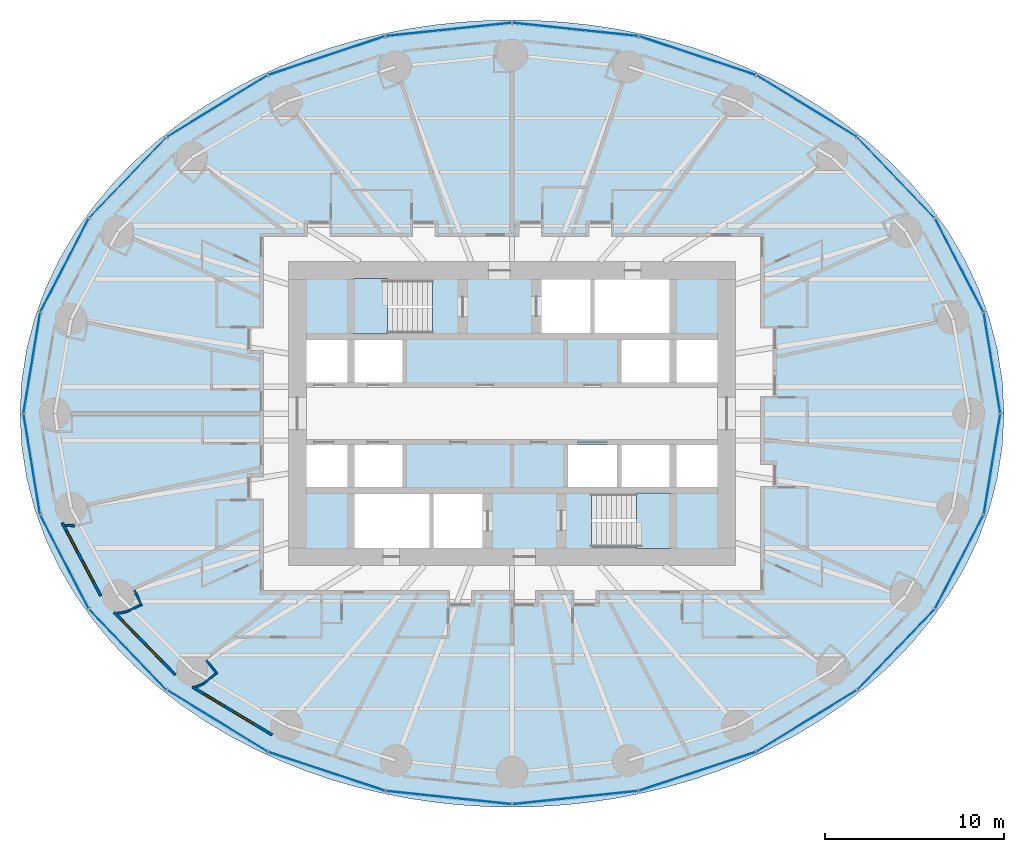
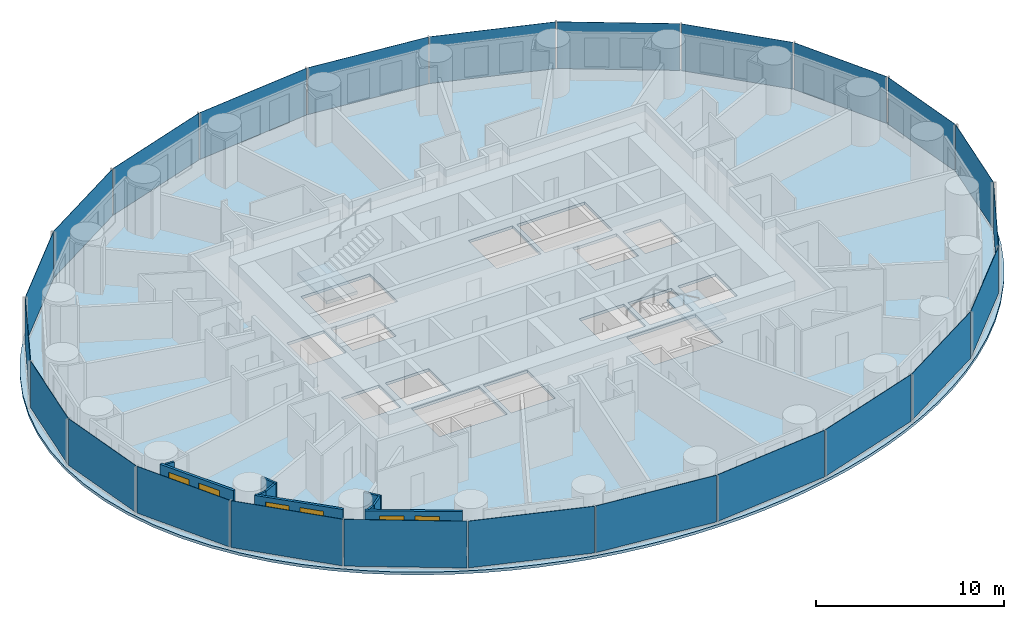
# One storey, part 5 of 14: 24 plates, 10 walls, 6 windows, 3 slabs, 6 openings, 6 elements without a shape of their own.
"""IFC4 building model written with IfcOpenShell, lengths in metres."""

from ifc_helpers import new_model, si_unit, direction, frame, frame_2d, origin, origin_2d, place, context, subcontext, project, spatial, polyline, rectangle, outline, extrude, material, layer, layer_set, type_object, element, fill, aggregate, save


model = new_model("IFC4")

# Units and contexts
model_context = context("Model", 3, precision=1e-05, world=origin(), true_north=direction((0.0, 1.0)))
body_context = subcontext(model_context, "Body", "Model", "MODEL_VIEW")
ifc_project = project(units=[si_unit("LENGTHUNIT", "METRE"), si_unit("AREAUNIT", "SQUARE_METRE"), si_unit("VOLUMEUNIT", "CUBIC_METRE"), si_unit("PLANEANGLEUNIT", "RADIAN"), si_unit("MASSUNIT", "GRAM", prefix="KILO")], contexts=[model_context])

# Site, building, storey
site_placement = place(None, origin())
site = spatial("IfcSite", under=ifc_project, at=site_placement, CompositionType="ELEMENT")
building_placement = place(site_placement, origin())
building = spatial("IfcBuilding", under=site, at=building_placement, Name="Hankou Lantern Tower", CompositionType="ELEMENT")
storey_placement = place(building_placement, frame((0.0, 0.0, 32.699951171875)))
storey = spatial("IfcBuildingStorey", under=building, at=storey_placement, Name="L06", CompositionType="ELEMENT", Elevation=32.699951171875)

# Curtain wall, plates
ifc_material_1 = material(Name="Glass, dark grey tinted laminated", Category="glass")
curtain_wall_type = type_object("IfcCurtainWallType", Name="CWA OUTER SKIN LOW-RISE", PredefinedType="USERDEFINED", material=ifc_material_1)
curtain_wall_1_placement = place(storey_placement, origin())
curtain_wall_1 = element("IfcCurtainWall", 1, at=curtain_wall_1_placement, inside=storey, type_object=curtain_wall_type, Name="CWA L06 OS1", ObjectType="OUTER SKIN LOW-RISE", PredefinedType="USERDEFINED")
ifc_material_2 = material(Name="Glass, dark grey tinted laminated", Category="glass")
ifc_layer_1 = layer(ifc_material_2, 0.02392578125)
ifc_layer_set_1 = layer_set([ifc_layer_1], Name="Glass, dark grey tinted laminated")
plate_type = type_object("IfcPlateType", Name="PN1 OUTER SKIN GLASS PANEL", PredefinedType="CURTAIN_PANEL", material=ifc_layer_set_1)
plate_1_placement = place(storey_placement, frame((26.8349609375, 2.826416015625, 0.080078125), z_axis=(0.0, 0.0, 1.0), x_axis=(-0.162381515188, 0.986728049427, 0.0)))
plate_1 = element("IfcPlate", 2, at=plate_1_placement, type_object=plate_type, Name="CWA glass panel 1", PredefinedType="CURTAIN_PANEL", context=body_context, shape_type="SweptSolid", body=[
    extrude(rectangle(XDim=5.648681640625, YDim=0.02392578125, at=origin_2d()), origin(), (0.0, 0.0, 1.0), 3.0400390625),
])
plate_2_placement = place(storey_placement, frame((25.006103515625, 8.286376953125, 0.080078125), z_axis=(0.0, 0.0, 1.0), x_axis=(-0.459791091957, 0.888027112062, 0.0)))
plate_2 = element("IfcPlate", 3, at=plate_2_placement, type_object=plate_type, Name="CWA glass panel 2", PredefinedType="CURTAIN_PANEL", context=body_context, shape_type="SweptSolid", body=[
    extrude(rectangle(XDim=5.8515625, YDim=0.02392578125, at=origin_2d()), origin(), (0.0, 0.0, 1.0), 3.0400390625),
])
plate_3_placement = place(storey_placement, frame((21.47314453125, 13.181640625, 0.080078125), z_axis=(0.0, 0.0, 1.0), x_axis=(-0.692215809936, 0.721690565599, 0.0)))
plate_3 = element("IfcPlate", 4, at=plate_3_placement, type_object=plate_type, Name="CWA glass panel 3", PredefinedType="CURTAIN_PANEL", context=body_context, shape_type="SweptSolid", body=[
    extrude(rectangle(XDim=6.1875, YDim=0.02392578125, at=origin_2d()), origin(), (0.0, 0.0, 1.0), 3.0400390625),
])
plate_4_placement = place(storey_placement, frame((16.47705078125, 17.1787109375, 0.080078125), z_axis=(0.0, 0.0, 1.0), x_axis=(-0.852237151549, 0.523155653242, 0.0)))
plate_4 = element("IfcPlate", 5, at=plate_4_placement, type_object=plate_type, Name="CWA glass panel 4", PredefinedType="CURTAIN_PANEL", context=body_context, shape_type="SweptSolid", body=[
    extrude(rectangle(XDim=6.554443359375, YDim=0.02392578125, at=origin_2d()), origin(), (0.0, 0.0, 1.0), 3.0400390625),
])
plate_5_placement = place(storey_placement, frame((10.35791015625, 20.0048828125, 0.080078125), z_axis=(0.0, 0.0, 1.0), x_axis=(-0.949240677293, 0.31455068999, 0.0)))
plate_5 = element("IfcPlate", 6, at=plate_5_placement, type_object=plate_type, Name="CWA glass panel 5", PredefinedType="CURTAIN_PANEL", context=body_context, shape_type="SweptSolid", body=[
    extrude(rectangle(XDim=6.856201171875, YDim=0.02392578125, at=origin_2d()), origin(), (0.0, 0.0, 1.0), 3.0400390625),
])
plate_6_placement = place(storey_placement, frame((3.532958984375, 21.468017578125, 0.080078125), z_axis=(0.0, 0.0, 1.0), x_axis=(-0.994499359107, 0.104742659579, 0.0)))
plate_6 = element("IfcPlate", 7, at=plate_6_placement, type_object=plate_type, Name="CWA glass panel 6", PredefinedType="CURTAIN_PANEL", context=body_context, shape_type="SweptSolid", body=[
    extrude(rectangle(XDim=7.02490234375, YDim=0.02392578125, at=origin_2d()), origin(), (0.0, 0.0, 1.0), 3.0400390625),
])
aggregate(curtain_wall_1, [plate_1, plate_2, plate_3, plate_4, plate_5, plate_6])

curtain_wall_2_placement = place(storey_placement, origin())
curtain_wall_2 = element("IfcCurtainWall", 8, at=curtain_wall_2_placement, inside=storey, type_object=curtain_wall_type, Name="CWA L06 OS2", ObjectType="OUTER SKIN LOW-RISE", PredefinedType="USERDEFINED")
plate_7_placement = place(storey_placement, frame((-3.532958984375, 21.468017578125, 0.080078125), z_axis=(0.0, 0.0, 1.0), x_axis=(-0.994499359107, -0.104742659579, 0.0)))
plate_7 = element("IfcPlate", 9, at=plate_7_placement, type_object=plate_type, Name="CWA glass panel 1", PredefinedType="CURTAIN_PANEL", context=body_context, shape_type="SweptSolid", body=[
    extrude(rectangle(XDim=7.02490234375, YDim=0.02392578125, at=origin_2d()), origin(), (0.0, 0.0, 1.0), 3.0400390625),
])
plate_8_placement = place(storey_placement, frame((-10.35791015625, 20.0048828125, 0.080078125), z_axis=(0.0, 0.0, 1.0), x_axis=(-0.949240677293, -0.31455068999, 0.0)))
plate_8 = element("IfcPlate", 10, at=plate_8_placement, type_object=plate_type, Name="CWA glass panel 2", PredefinedType="CURTAIN_PANEL", context=body_context, shape_type="SweptSolid", body=[
    extrude(rectangle(XDim=6.856201171875, YDim=0.02392578125, at=origin_2d()), origin(), (0.0, 0.0, 1.0), 3.0400390625),
])
plate_9_placement = place(storey_placement, frame((-16.47705078125, 17.1787109375, 0.080078125), z_axis=(0.0, 0.0, 1.0), x_axis=(-0.852237151549, -0.523155653242, 0.0)))
plate_9 = element("IfcPlate", 11, at=plate_9_placement, type_object=plate_type, Name="CWA glass panel 3", PredefinedType="CURTAIN_PANEL", context=body_context, shape_type="SweptSolid", body=[
    extrude(rectangle(XDim=6.554443359375, YDim=0.02392578125, at=origin_2d()), origin(), (0.0, 0.0, 1.0), 3.0400390625),
])
plate_10_placement = place(storey_placement, frame((-21.47314453125, 13.181640625, 0.080078125), z_axis=(0.0, 0.0, 1.0), x_axis=(-0.692215809936, -0.721690565599, 0.0)))
plate_10 = element("IfcPlate", 12, at=plate_10_placement, type_object=plate_type, Name="CWA glass panel 4", PredefinedType="CURTAIN_PANEL", context=body_context, shape_type="SweptSolid", body=[
    extrude(rectangle(XDim=6.1875, YDim=0.02392578125, at=origin_2d()), origin(), (0.0, 0.0, 1.0), 3.0400390625),
])
plate_11_placement = place(storey_placement, frame((-25.006103515625, 8.286376953125, 0.080078125), z_axis=(0.0, 0.0, 1.0), x_axis=(-0.459791091957, -0.888027112062, 0.0)))
plate_11 = element("IfcPlate", 13, at=plate_11_placement, type_object=plate_type, Name="CWA glass panel 5", PredefinedType="CURTAIN_PANEL", context=body_context, shape_type="SweptSolid", body=[
    extrude(rectangle(XDim=5.8515625, YDim=0.02392578125, at=origin_2d()), origin(), (0.0, 0.0, 1.0), 3.0400390625),
])
plate_12_placement = place(storey_placement, frame((-26.8349609375, 2.826416015625, 0.080078125), z_axis=(0.0, 0.0, 1.0), x_axis=(-0.162381515188, -0.986728049427, 0.0)))
plate_12 = element("IfcPlate", 14, at=plate_12_placement, type_object=plate_type, Name="CWA glass panel 6", PredefinedType="CURTAIN_PANEL", context=body_context, shape_type="SweptSolid", body=[
    extrude(rectangle(XDim=5.648681640625, YDim=0.02392578125, at=origin_2d()), origin(), (0.0, 0.0, 1.0), 3.0400390625),
])
aggregate(curtain_wall_2, [plate_7, plate_8, plate_9, plate_10, plate_11, plate_12])

curtain_wall_3_placement = place(storey_placement, origin())
curtain_wall_3 = element("IfcCurtainWall", 15, at=curtain_wall_3_placement, inside=storey, type_object=curtain_wall_type, Name="CWA L06 OS3", ObjectType="OUTER SKIN LOW-RISE", PredefinedType="USERDEFINED")
plate_13_placement = place(storey_placement, frame((-26.8349609375, -2.826416015625, 0.080078125), z_axis=(0.0, 0.0, 1.0), x_axis=(0.162381515188, -0.986728049427, 0.0)))
plate_13 = element("IfcPlate", 16, at=plate_13_placement, type_object=plate_type, Name="CWA glass panel 1", PredefinedType="CURTAIN_PANEL", context=body_context, shape_type="SweptSolid", body=[
    extrude(rectangle(XDim=5.648681640625, YDim=0.02392578125, at=origin_2d()), origin(), (0.0, 0.0, 1.0), 3.0400390625),
])
plate_14_placement = place(storey_placement, frame((-25.006103515625, -8.286376953125, 0.080078125), z_axis=(0.0, 0.0, 1.0), x_axis=(0.459791091957, -0.888027112062, 0.0)))
plate_14 = element("IfcPlate", 17, at=plate_14_placement, type_object=plate_type, Name="CWA glass panel 2", PredefinedType="CURTAIN_PANEL", context=body_context, shape_type="SweptSolid", body=[
    extrude(rectangle(XDim=5.8515625, YDim=0.02392578125, at=origin_2d()), origin(), (0.0, 0.0, 1.0), 3.0400390625),
])
plate_15_placement = place(storey_placement, frame((-21.47314453125, -13.181640625, 0.080078125), z_axis=(0.0, 0.0, 1.0), x_axis=(0.692215809936, -0.721690565599, 0.0)))
plate_15 = element("IfcPlate", 18, at=plate_15_placement, type_object=plate_type, Name="CWA glass panel 3", PredefinedType="CURTAIN_PANEL", context=body_context, shape_type="SweptSolid", body=[
    extrude(rectangle(XDim=6.1875, YDim=0.02392578125, at=origin_2d()), origin(), (0.0, 0.0, 1.0), 3.0400390625),
])
plate_16_placement = place(storey_placement, frame((-16.47705078125, -17.1787109375, 0.080078125), z_axis=(0.0, 0.0, 1.0), x_axis=(0.852237151549, -0.523155653242, 0.0)))
plate_16 = element("IfcPlate", 19, at=plate_16_placement, type_object=plate_type, Name="CWA glass panel 4", PredefinedType="CURTAIN_PANEL", context=body_context, shape_type="SweptSolid", body=[
    extrude(rectangle(XDim=6.554443359375, YDim=0.02392578125, at=origin_2d()), origin(), (0.0, 0.0, 1.0), 3.0400390625),
])
plate_17_placement = place(storey_placement, frame((-10.35791015625, -20.0048828125, 0.080078125), z_axis=(0.0, 0.0, 1.0), x_axis=(0.949240677293, -0.31455068999, 0.0)))
plate_17 = element("IfcPlate", 20, at=plate_17_placement, type_object=plate_type, Name="CWA glass panel 5", PredefinedType="CURTAIN_PANEL", context=body_context, shape_type="SweptSolid", body=[
    extrude(rectangle(XDim=6.856201171875, YDim=0.02392578125, at=origin_2d()), origin(), (0.0, 0.0, 1.0), 3.0400390625),
])
plate_18_placement = place(storey_placement, frame((-3.532958984375, -21.468017578125, 0.080078125), z_axis=(0.0, 0.0, 1.0), x_axis=(0.994499359107, -0.104742659579, 0.0)))
plate_18 = element("IfcPlate", 21, at=plate_18_placement, type_object=plate_type, Name="CWA glass panel 6", PredefinedType="CURTAIN_PANEL", context=body_context, shape_type="SweptSolid", body=[
    extrude(rectangle(XDim=7.02490234375, YDim=0.02392578125, at=origin_2d()), origin(), (0.0, 0.0, 1.0), 3.0400390625),
])
aggregate(curtain_wall_3, [plate_13, plate_14, plate_15, plate_16, plate_17, plate_18])

curtain_wall_4_placement = place(storey_placement, origin())
curtain_wall_4 = element("IfcCurtainWall", 22, at=curtain_wall_4_placement, inside=storey, type_object=curtain_wall_type, Name="CWA L06 OS4", ObjectType="OUTER SKIN LOW-RISE", PredefinedType="USERDEFINED")
plate_19_placement = place(storey_placement, frame((3.532958984375, -21.468017578125, 0.080078125), z_axis=(0.0, 0.0, 1.0), x_axis=(0.994499359107, 0.104742659579, 0.0)))
plate_19 = element("IfcPlate", 23, at=plate_19_placement, type_object=plate_type, Name="CWA glass panel 1", PredefinedType="CURTAIN_PANEL", context=body_context, shape_type="SweptSolid", body=[
    extrude(rectangle(XDim=7.02490234375, YDim=0.02392578125, at=origin_2d()), origin(), (0.0, 0.0, 1.0), 3.0400390625),
])
plate_20_placement = place(storey_placement, frame((10.35791015625, -20.0048828125, 0.080078125), z_axis=(0.0, 0.0, 1.0), x_axis=(0.949240677293, 0.31455068999, 0.0)))
plate_20 = element("IfcPlate", 24, at=plate_20_placement, type_object=plate_type, Name="CWA glass panel 2", PredefinedType="CURTAIN_PANEL", context=body_context, shape_type="SweptSolid", body=[
    extrude(rectangle(XDim=6.856201171875, YDim=0.02392578125, at=origin_2d()), origin(), (0.0, 0.0, 1.0), 3.0400390625),
])
plate_21_placement = place(storey_placement, frame((16.47705078125, -17.1787109375, 0.080078125), z_axis=(0.0, 0.0, 1.0), x_axis=(0.852237151549, 0.523155653242, 0.0)))
plate_21 = element("IfcPlate", 25, at=plate_21_placement, type_object=plate_type, Name="CWA glass panel 3", PredefinedType="CURTAIN_PANEL", context=body_context, shape_type="SweptSolid", body=[
    extrude(rectangle(XDim=6.554443359375, YDim=0.02392578125, at=origin_2d()), origin(), (0.0, 0.0, 1.0), 3.0400390625),
])
plate_22_placement = place(storey_placement, frame((21.47314453125, -13.181640625, 0.080078125), z_axis=(0.0, 0.0, 1.0), x_axis=(0.692215809936, 0.721690565599, 0.0)))
plate_22 = element("IfcPlate", 26, at=plate_22_placement, type_object=plate_type, Name="CWA glass panel 4", PredefinedType="CURTAIN_PANEL", context=body_context, shape_type="SweptSolid", body=[
    extrude(rectangle(XDim=6.1875, YDim=0.02392578125, at=origin_2d()), origin(), (0.0, 0.0, 1.0), 3.0400390625),
])
plate_23_placement = place(storey_placement, frame((25.006103515625, -8.286376953125, 0.080078125), z_axis=(0.0, 0.0, 1.0), x_axis=(0.459791091957, 0.888027112062, 0.0)))
plate_23 = element("IfcPlate", 27, at=plate_23_placement, type_object=plate_type, Name="CWA glass panel 5", PredefinedType="CURTAIN_PANEL", context=body_context, shape_type="SweptSolid", body=[
    extrude(rectangle(XDim=5.8515625, YDim=0.02392578125, at=origin_2d()), origin(), (0.0, 0.0, 1.0), 3.0400390625),
])
plate_24_placement = place(storey_placement, frame((26.8349609375, -2.826416015625, 0.080078125), z_axis=(0.0, 0.0, 1.0), x_axis=(0.162381515188, 0.986728049427, 0.0)))
plate_24 = element("IfcPlate", 28, at=plate_24_placement, type_object=plate_type, Name="CWA glass panel 6", PredefinedType="CURTAIN_PANEL", context=body_context, shape_type="SweptSolid", body=[
    extrude(rectangle(XDim=5.648681640625, YDim=0.02392578125, at=origin_2d()), origin(), (0.0, 0.0, 1.0), 3.0400390625),
])
aggregate(curtain_wall_4, [plate_19, plate_20, plate_21, plate_22, plate_23, plate_24])

# Slab
ifc_material_3 = material(Name="Concrete C50", Category="concrete")
ifc_layer_2 = layer(ifc_material_3, 0.179931640625)
ifc_layer_set_2 = layer_set([ifc_layer_2], Name="Concrete C50")
slab_type_1 = type_object("IfcSlabType", Name="S1 CONCRETE FLOOR SLAB 180", PredefinedType="FLOOR", material=ifc_layer_set_2)
slab_1_placement = place(storey_placement, frame((0.0, 0.0, -0.179931640625)))
element("IfcSlab", 29, at=slab_1_placement, inside=storey, type_object=slab_type_1, Name="Floor slab L06", PredefinedType="FLOOR", context=body_context, shape_type="SweptSolid", body=[
    extrude(outline(polyline([(27.5, 0.0), (27.408203125, 1.79638671875), (27.135009765625, 3.572509765625), (26.6875, 5.308349609375), (26.076171875, 6.987060546875), (25.3154296875, 8.593505859375), (24.420654296875, 10.115478515625), (23.40966796875, 11.54443359375), (22.29931640625, 12.87451171875), (21.1064453125, 14.102783203125), (19.846435546875, 15.228759765625), (18.533447265625, 16.25341796875), (17.17919921875, 17.17919921875), (15.794189453125, 18.009765625), (14.38671875, 18.749267578125), (12.964111328125, 19.402099609375), (11.53125, 19.972412109375), (10.09228515625, 20.46484375), (8.650146484375, 20.88330078125), (7.20703125, 21.23095703125), (5.763916015625, 21.51123046875), (4.32177734375, 21.7265625), (2.88037109375, 21.87890625), (1.43994140625, 21.9697265625), (0.0, 22.0), (-1.43994140625, 21.9697265625), (-2.88037109375, 21.87890625), (-4.32177734375, 21.7265625), (-5.763916015625, 21.51123046875), (-7.20703125, 21.23095703125), (-8.650146484375, 20.88330078125), (-10.09228515625, 20.46484375), (-11.53125, 19.972412109375), (-12.964111328125, 19.402099609375), (-14.38671875, 18.749267578125), (-15.794189453125, 18.009765625), (-17.17919921875, 17.17919921875), (-18.533447265625, 16.25341796875), (-19.846435546875, 15.228759765625), (-21.1064453125, 14.102783203125), (-22.29931640625, 12.87451171875), (-23.40966796875, 11.54443359375), (-24.420654296875, 10.115478515625), (-25.3154296875, 8.593505859375), (-26.076171875, 6.987060546875), (-26.6875, 5.308349609375), (-27.135009765625, 3.572509765625), (-27.408203125, 1.79638671875), (-27.5, 0.0), (-27.408203125, -1.79638671875), (-27.135009765625, -3.572509765625), (-26.6875, -5.308349609375), (-26.076171875, -6.987060546875), (-25.3154296875, -8.593505859375), (-24.420654296875, -10.115478515625), (-23.40966796875, -11.54443359375), (-22.29931640625, -12.87451171875), (-21.1064453125, -14.102783203125), (-19.846435546875, -15.228759765625), (-18.533447265625, -16.25341796875), (-17.17919921875, -17.17919921875), (-15.794189453125, -18.009765625), (-14.38671875, -18.749267578125), (-12.964111328125, -19.402099609375), (-11.53125, -19.972412109375), (-10.09228515625, -20.46484375), (-8.650146484375, -20.88330078125), (-7.20703125, -21.23095703125), (-5.763916015625, -21.51123046875), (-4.32177734375, -21.7265625), (-2.88037109375, -21.87890625), (-1.43994140625, -21.9697265625), (0.0, -22.0), (1.43994140625, -21.9697265625), (2.88037109375, -21.87890625), (4.32177734375, -21.7265625), (5.763916015625, -21.51123046875), (7.20703125, -21.23095703125), (8.650146484375, -20.88330078125), (10.09228515625, -20.46484375), (11.53125, -19.972412109375), (12.964111328125, -19.402099609375), (14.38671875, -18.749267578125), (15.794189453125, -18.009765625), (17.17919921875, -17.17919921875), (18.533447265625, -16.25341796875), (19.846435546875, -15.228759765625), (21.1064453125, -14.102783203125), (22.29931640625, -12.87451171875), (23.40966796875, -11.54443359375), (24.420654296875, -10.115478515625), (25.3154296875, -8.593505859375), (26.076171875, -6.987060546875), (26.6875, -5.308349609375), (27.135009765625, -3.572509765625), (27.408203125, -1.79638671875), (27.5, 0.0)]), holes=[polyline([(-11.5, 4.10009765625), (-9.199951171875, 4.10009765625), (-9.199951171875, 1.75), (-11.5, 1.75), (-11.5, 4.10009765625)]), polyline([(-8.800048828125, 4.10009765625), (-6.125, 4.10009765625), (-6.125, 1.75), (-8.800048828125, 1.75), (-8.800048828125, 4.10009765625)]), polyline([(6.125, 4.10009765625), (8.800048828125, 4.10009765625), (8.800048828125, 1.75), (6.125, 1.75), (6.125, 4.10009765625)]), polyline([(9.199951171875, 4.10009765625), (11.5, 4.10009765625), (11.5, 1.75), (9.199951171875, 1.75), (9.199951171875, 4.10009765625)]), polyline([(-11.5, -1.75), (-9.199951171875, -1.75), (-9.199951171875, -4.10009765625), (-11.5, -4.10009765625), (-11.5, -1.75)]), polyline([(-8.800048828125, -1.75), (-6.125, -1.75), (-6.125, -4.10009765625), (-8.800048828125, -4.10009765625), (-8.800048828125, -1.75)]), polyline([(3.125, -1.75), (5.875, -1.75), (5.875, -4.10009765625), (3.125, -4.10009765625), (3.125, -1.75)]), polyline([(6.125, -1.75), (8.800048828125, -1.75), (8.800048828125, -4.10009765625), (6.125, -4.10009765625), (6.125, -1.75)]), polyline([(9.199951171875, -1.75), (11.5, -1.75), (11.5, -4.10009765625), (9.199951171875, -4.10009765625), (9.199951171875, -1.75)]), polyline([(1.64990234375, 7.5), (4.375, 7.5), (4.375, 4.5), (1.64990234375, 4.5), (1.64990234375, 7.5)]), polyline([(-4.375, -4.5), (-1.64990234375, -4.5), (-1.64990234375, -7.5), (-4.375, -7.5), (-4.375, -4.5)]), polyline([(-8.699951171875, 7.449951171875), (-4.449951171875, 7.449951171875), (-4.449951171875, 4.5), (-8.699951171875, 4.5), (-8.699951171875, 7.449951171875)]), polyline([(4.449951171875, -4.5), (8.699951171875, -4.5), (8.699951171875, -7.449951171875), (4.449951171875, -7.449951171875), (4.449951171875, -4.5)]), polyline([(4.625, 7.5), (8.800048828125, 7.5), (8.800048828125, 4.5), (4.625, 4.5), (4.625, 7.5)]), polyline([(-8.800048828125, -4.5), (-4.625, -4.5), (-4.625, -7.5), (-8.800048828125, -7.5), (-8.800048828125, -4.5)])]), origin(), (0.0, 0.0, 1.0), 0.179931640625),
])

# Stair, slab
ifc_material_4 = material(Name="Concrete C40", Category="concrete")
stair_type = type_object("IfcStairType", Name="ST33 CORE STAIR 3300 RISE", PredefinedType="HALF_TURN_STAIR", material=ifc_material_4)
stair_1_placement = place(storey_placement, origin())
stair_1 = element("IfcStair", 30, at=stair_1_placement, inside=storey, type_object=stair_type, Name="Stair STA L06", PredefinedType="HALF_TURN_STAIR")
ifc_material_5 = material(Name="Concrete C40", Category="concrete")
ifc_layer_3 = layer(ifc_material_5, 0.199951171875)
ifc_layer_set_3 = layer_set([ifc_layer_3], Name="Concrete C40")
slab_type_2 = type_object("IfcSlabType", Name="SL1 STAIR LANDING 200", PredefinedType="LANDING", material=ifc_layer_set_3)
slab_2_placement = place(storey_placement, frame((0.0, 0.0, 1.37158203125)))
slab_2 = element("IfcSlab", 31, at=slab_2_placement, type_object=slab_type_2, Name="STA landing 1", PredefinedType="LANDING", context=body_context, shape_type="SweptSolid", body=[
    extrude(outline(polyline([(-8.85009765625, 4.449951171875), (-6.949951171875, 4.449951171875), (-6.949951171875, 7.550048828125), (-8.85009765625, 7.550048828125), (-8.85009765625, 4.449951171875)])), origin(), (0.0, 0.0, 1.0), 0.199951171875),
])
aggregate(stair_1, [slab_2])

stair_2_placement = place(storey_placement, origin())
stair_2 = element("IfcStair", 32, at=stair_2_placement, inside=storey, type_object=stair_type, Name="Stair STB L06", PredefinedType="HALF_TURN_STAIR")
slab_3_placement = place(storey_placement, frame((0.0, 0.0, 1.37158203125)))
slab_3 = element("IfcSlab", 33, at=slab_3_placement, type_object=slab_type_2, Name="STB landing 1", PredefinedType="LANDING", context=body_context, shape_type="SweptSolid", body=[
    extrude(outline(polyline([(8.85009765625, -4.449951171875), (6.949951171875, -4.449951171875), (6.949951171875, -7.550048828125), (8.85009765625, -7.550048828125), (8.85009765625, -4.449951171875)])), origin(), (0.0, 0.0, 1.0), 0.199951171875),
])
aggregate(stair_2, [slab_3])

# Wall, openings, windows
ifc_material_6 = material(Name="Aluminium spandrel panel on steel studs", Category="steel")
ifc_layer_4 = layer(ifc_material_6, 0.14990234375)
ifc_layer_set_4 = layer_set([ifc_layer_4], Name="Aluminium spandrel panel on steel studs")
wall_type_1 = type_object("IfcWallType", Name="EW1 INNER SKIN WALL 150", PredefinedType="ELEMENTEDWALL", material=ifc_layer_set_4)
wall_1_placement = place(storey_placement, frame((-25.138671875, -6.11279296875, 0.0), z_axis=(0.0, 0.0, 1.0), x_axis=(0.467303182954, -0.884097129959, 0.0)))
wall_1 = element("IfcWall", 34, at=wall_1_placement, inside=storey, type_object=wall_type_1, Name="Inner skin R14-R15 L06", PredefinedType="ELEMENTEDWALL", context=body_context, shape_type="SweptSolid", body=[
    extrude(rectangle(XDim=4.6064453125, YDim=0.14990234375, at=frame_2d((2.30322265625, 0.0))), origin(), (0.0, 0.0, 1.0), 3.1201171875),
])
opening_1_placement = place(wall_1_placement, frame((0.531494140625, 0.0, 0.89990234375)))
opening_1 = element("IfcOpeningElement", 35, at=opening_1_placement, cuts=wall_1, Name="Opening W9", PredefinedType="OPENING", context=body_context, shape_type="SweptSolid", body=[
    extrude(rectangle(XDim=1.300048828125, YDim=1.89990234375, at=frame_2d((0.64990234375, 0.949951171875))), frame((0.0, 0.0849609375, 0.0), z_axis=(0.0, -1.0, 0.0), x_axis=(1.0, 0.0, 0.0)), (0.0, 0.0, 1.0), 0.169921875),
])
opening_2_placement = place(wall_1_placement, frame((2.431640625, 0.0, 0.89990234375)))
opening_2 = element("IfcOpeningElement", 36, at=opening_2_placement, cuts=wall_1, Name="Opening W9", PredefinedType="OPENING", context=body_context, shape_type="SweptSolid", body=[
    extrude(rectangle(XDim=1.300048828125, YDim=1.89990234375, at=frame_2d((0.64990234375, 0.949951171875))), frame((0.0, 0.0849609375, 0.0), z_axis=(0.0, -1.0, 0.0), x_axis=(1.0, 0.0, 0.0)), (0.0, 0.0, 1.0), 0.169921875),
])
ifc_material_7 = material(Name="Aluminium framed double glazed window", Category="aluminium")
window_type = type_object("IfcWindowType", Name="W9 GUEST ROOM WINDOW 1300X1900", PartitioningType="DOUBLE_PANEL_VERTICAL", PredefinedType="WINDOW", material=ifc_material_7)
window_1_placement = place(opening_1_placement, origin())
window_1 = element("IfcWindow", 37, at=window_1_placement, inside=storey, type_object=window_type, Name="Window R14.1 L06", OverallHeight=1.89990234375, OverallWidth=1.300048828125, PartitioningType="SINGLE_PANEL", PredefinedType="WINDOW", context=body_context, shape_type="SweptSolid", body=[
    extrude(rectangle(XDim=1.300048828125, YDim=1.89990234375, at=frame_2d((0.64990234375, 0.949951171875))), frame((0.0, 0.030029296875, 0.0), z_axis=(0.0, -1.0, 0.0), x_axis=(1.0, 0.0, 0.0)), (0.0, 0.0, 1.0), 0.06005859375),
])
fill(opening_1, window_1)
window_2_placement = place(opening_2_placement, origin())
window_2 = element("IfcWindow", 38, at=window_2_placement, inside=storey, type_object=window_type, Name="Window R14.2 L06", OverallHeight=1.89990234375, OverallWidth=1.300048828125, PartitioningType="SINGLE_PANEL", PredefinedType="WINDOW", context=body_context, shape_type="SweptSolid", body=[
    extrude(rectangle(XDim=1.300048828125, YDim=1.89990234375, at=frame_2d((0.64990234375, 0.949951171875))), frame((0.0, 0.030029296875, 0.0), z_axis=(0.0, -1.0, 0.0), x_axis=(1.0, 0.0, 0.0)), (0.0, 0.0, 1.0), 0.06005859375),
])
fill(opening_2, window_2)

wall_2_placement = place(storey_placement, frame((-22.23876953125, -11.1083984375, 0.0), z_axis=(0.0, 0.0, 1.0), x_axis=(0.699612594083, -0.714522370679, 0.0)))
wall_2 = element("IfcWall", 39, at=wall_2_placement, inside=storey, type_object=wall_type_1, Name="Inner skin R15-R16 L06", PredefinedType="ELEMENTEDWALL", context=body_context, shape_type="SweptSolid", body=[
    extrude(rectangle(XDim=4.89599609375, YDim=0.14990234375, at=frame_2d((2.447998046875, 0.0))), origin(), (0.0, 0.0, 1.0), 3.1201171875),
])
opening_3_placement = place(wall_2_placement, frame((0.619140625, 0.0, 0.89990234375)))
opening_3 = element("IfcOpeningElement", 40, at=opening_3_placement, cuts=wall_2, Name="Opening W9", PredefinedType="OPENING", context=body_context, shape_type="SweptSolid", body=[
    extrude(rectangle(XDim=1.300048828125, YDim=1.89990234375, at=frame_2d((0.64990234375, 0.949951171875))), frame((0.0, 0.0849609375, 0.0), z_axis=(0.0, -1.0, 0.0), x_axis=(1.0, 0.0, 0.0)), (0.0, 0.0, 1.0), 0.169921875),
])
opening_4_placement = place(wall_2_placement, frame((2.51904296875, 0.0, 0.89990234375)))
opening_4 = element("IfcOpeningElement", 41, at=opening_4_placement, cuts=wall_2, Name="Opening W9", PredefinedType="OPENING", context=body_context, shape_type="SweptSolid", body=[
    extrude(rectangle(XDim=1.300048828125, YDim=1.89990234375, at=frame_2d((0.64990234375, 0.949951171875))), frame((0.0, 0.0849609375, 0.0), z_axis=(0.0, -1.0, 0.0), x_axis=(1.0, 0.0, 0.0)), (0.0, 0.0, 1.0), 0.169921875),
])
window_3_placement = place(opening_3_placement, origin())
window_3 = element("IfcWindow", 42, at=window_3_placement, inside=storey, type_object=window_type, Name="Window R15.1 L06", OverallHeight=1.89990234375, OverallWidth=1.300048828125, PartitioningType="SINGLE_PANEL", PredefinedType="WINDOW", context=body_context, shape_type="SweptSolid", body=[
    extrude(rectangle(XDim=1.300048828125, YDim=1.89990234375, at=frame_2d((0.64990234375, 0.949951171875))), frame((0.0, 0.030029296875, 0.0), z_axis=(0.0, -1.0, 0.0), x_axis=(1.0, 0.0, 0.0)), (0.0, 0.0, 1.0), 0.06005859375),
])
fill(opening_3, window_3)
window_4_placement = place(opening_4_placement, origin())
window_4 = element("IfcWindow", 43, at=window_4_placement, inside=storey, type_object=window_type, Name="Window R15.2 L06", OverallHeight=1.89990234375, OverallWidth=1.300048828125, PartitioningType="SINGLE_PANEL", PredefinedType="WINDOW", context=body_context, shape_type="SweptSolid", body=[
    extrude(rectangle(XDim=1.300048828125, YDim=1.89990234375, at=frame_2d((0.64990234375, 0.949951171875))), frame((0.0, 0.030029296875, 0.0), z_axis=(0.0, -1.0, 0.0), x_axis=(1.0, 0.0, 0.0)), (0.0, 0.0, 1.0), 0.06005859375),
])
fill(opening_4, window_4)

wall_3_placement = place(storey_placement, frame((-17.869384765625, -15.276611328125, 0.0), z_axis=(0.0, 0.0, 1.0), x_axis=(0.856958191554, -0.515385931054, 0.0)))
wall_3 = element("IfcWall", 44, at=wall_3_placement, inside=storey, type_object=wall_type_1, Name="Inner skin R16-R17 L06", PredefinedType="ELEMENTEDWALL", context=body_context, shape_type="SweptSolid", body=[
    extrude(rectangle(XDim=5.201171875, YDim=0.14990234375, at=frame_2d((2.6005859375, 0.0))), origin(), (0.0, 0.0, 1.0), 3.1201171875),
])
opening_5_placement = place(wall_3_placement, frame((0.7763671875, 0.0, 0.89990234375)))
opening_5 = element("IfcOpeningElement", 45, at=opening_5_placement, cuts=wall_3, Name="Opening W9", PredefinedType="OPENING", context=body_context, shape_type="SweptSolid", body=[
    extrude(rectangle(XDim=1.300048828125, YDim=1.89990234375, at=frame_2d((0.64990234375, 0.949951171875))), frame((0.0, 0.0849609375, 0.0), z_axis=(0.0, -1.0, 0.0), x_axis=(1.0, 0.0, 0.0)), (0.0, 0.0, 1.0), 0.169921875),
])
opening_6_placement = place(wall_3_placement, frame((2.67626953125, 0.0, 0.89990234375)))
opening_6 = element("IfcOpeningElement", 46, at=opening_6_placement, cuts=wall_3, Name="Opening W9", PredefinedType="OPENING", context=body_context, shape_type="SweptSolid", body=[
    extrude(rectangle(XDim=1.300048828125, YDim=1.89990234375, at=frame_2d((0.64990234375, 0.949951171875))), frame((0.0, 0.0849609375, 0.0), z_axis=(0.0, -1.0, 0.0), x_axis=(1.0, 0.0, 0.0)), (0.0, 0.0, 1.0), 0.169921875),
])
window_5_placement = place(opening_5_placement, origin())
window_5 = element("IfcWindow", 47, at=window_5_placement, inside=storey, type_object=window_type, Name="Window R16.1 L06", OverallHeight=1.89990234375, OverallWidth=1.300048828125, PartitioningType="SINGLE_PANEL", PredefinedType="WINDOW", context=body_context, shape_type="SweptSolid", body=[
    extrude(rectangle(XDim=1.300048828125, YDim=1.89990234375, at=frame_2d((0.64990234375, 0.949951171875))), frame((0.0, 0.030029296875, 0.0), z_axis=(0.0, -1.0, 0.0), x_axis=(1.0, 0.0, 0.0)), (0.0, 0.0, 1.0), 0.06005859375),
])
fill(opening_5, window_5)
window_6_placement = place(opening_6_placement, origin())
window_6 = element("IfcWindow", 48, at=window_6_placement, inside=storey, type_object=window_type, Name="Window R16.2 L06", OverallHeight=1.89990234375, OverallWidth=1.300048828125, PartitioningType="SINGLE_PANEL", PredefinedType="WINDOW", context=body_context, shape_type="SweptSolid", body=[
    extrude(rectangle(XDim=1.300048828125, YDim=1.89990234375, at=frame_2d((0.64990234375, 0.949951171875))), frame((0.0, 0.030029296875, 0.0), z_axis=(0.0, -1.0, 0.0), x_axis=(1.0, 0.0, 0.0)), (0.0, 0.0, 1.0), 0.06005859375),
])
fill(opening_6, window_6)

# Walls
ifc_material_8 = material(Name="Masonry lightweight concrete block", Category="masonry")
ifc_layer_5 = layer(ifc_material_8, 0.1201171875)
ifc_layer_set_5 = layer_set([ifc_layer_5], Name="Masonry lightweight concrete block")
wall_type_2 = type_object("IfcWallType", Name="IW4 PARTITION 120", PredefinedType="PARTITIONING", material=ifc_layer_set_5)
wall_4_placement = place(storey_placement, frame((-24.434326171875, -6.275390625, 0.0), z_axis=(0.0, 0.0, 1.0), x_axis=(-0.998714959873, 0.050679669751, 0.0)))
element("IfcWall", 49, at=wall_4_placement, inside=storey, type_object=wall_type_2, Name="Column casing R14", PredefinedType="PARTITIONING", context=body_context, shape_type="SweptSolid", body=[
    extrude(rectangle(XDim=0.525146484375, YDim=0.1201171875, at=frame_2d((0.2626953125, 0.0))), origin(), (0.0, 0.0, 1.0), 3.1201171875),
])
wall_5_placement = place(storey_placement, frame((-21.105712890625, -9.8583984375, 0.0), z_axis=(0.0, 0.0, 1.0), x_axis=(0.419344098106, -0.907827366509, 0.0)))
element("IfcWall", 50, at=wall_5_placement, inside=storey, type_object=wall_type_2, Name="Column casing R15 return", PredefinedType="PARTITIONING", context=body_context, shape_type="SweptSolid", body=[
    extrude(rectangle(XDim=0.974609375, YDim=0.1201171875, at=frame_2d((0.4873046875, 0.0))), origin(), (0.0, 0.0, 1.0), 3.1201171875),
])
wall_6_placement = place(storey_placement, frame((-20.776611328125, -10.7138671875, 0.0), z_axis=(0.0, 0.0, 1.0), x_axis=(-0.907832324198, -0.419333365166, 0.0)))
element("IfcWall", 51, at=wall_6_placement, inside=storey, type_object=wall_type_2, Name="Column casing R15", PredefinedType="PARTITIONING", context=body_context, shape_type="SweptSolid", body=[
    extrude(rectangle(XDim=0.900146484375, YDim=0.1201171875, at=frame_2d((0.4501953125, 0.0))), origin(), (0.0, 0.0, 1.0), 3.1201171875),
])
wall_7_placement = place(storey_placement, frame((-21.59375, -11.09130859375, 0.0), z_axis=(0.0, 0.0, 1.0), x_axis=(-0.985483306792, -0.169772353566, 0.0)))
element("IfcWall", 52, at=wall_7_placement, inside=storey, type_object=wall_type_2, Name="Column casing R15", PredefinedType="PARTITIONING", context=body_context, shape_type="SweptSolid", body=[
    extrude(rectangle(XDim=0.486083984375, YDim=0.1201171875, at=frame_2d((0.2431640625, 0.0))), origin(), (0.0, 0.0, 1.0), 3.1201171875),
])
wall_8_placement = place(storey_placement, frame((-17.07958984375, -13.791748046875, 0.0), z_axis=(0.0, 0.0, 1.0), x_axis=(0.624756144097, -0.780819928289, 0.0)))
element("IfcWall", 53, at=wall_8_placement, inside=storey, type_object=wall_type_2, Name="Column casing R16 return", PredefinedType="PARTITIONING", context=body_context, shape_type="SweptSolid", body=[
    extrude(rectangle(XDim=0.974609375, YDim=0.1201171875, at=frame_2d((0.4873046875, 0.0))), origin(), (0.0, 0.0, 1.0), 3.1201171875),
])
wall_9_placement = place(storey_placement, frame((-16.55517578125, -14.54345703125, 0.0), z_axis=(0.0, 0.0, 1.0), x_axis=(-0.780789399477, -0.62479429708, 0.0)))
element("IfcWall", 54, at=wall_9_placement, inside=storey, type_object=wall_type_2, Name="Column casing R16", PredefinedType="PARTITIONING", context=body_context, shape_type="SweptSolid", body=[
    extrude(rectangle(XDim=0.89990234375, YDim=0.1201171875, at=frame_2d((0.449951171875, 0.0))), origin(), (0.0, 0.0, 1.0), 3.1201171875),
])
wall_10_placement = place(storey_placement, frame((-17.2578125, -15.105712890625, 0.0), z_axis=(0.0, 0.0, 1.0), x_axis=(-0.916098562583, -0.400953143937, 0.0)))
element("IfcWall", 55, at=wall_10_placement, inside=storey, type_object=wall_type_2, Name="Column casing R16", PredefinedType="PARTITIONING", context=body_context, shape_type="SweptSolid", body=[
    extrude(rectangle(XDim=0.476806640625, YDim=0.1201171875, at=frame_2d((0.23828125, 0.0))), origin(), (0.0, 0.0, 1.0), 3.1201171875),
])

save(model, "model.ifc")
